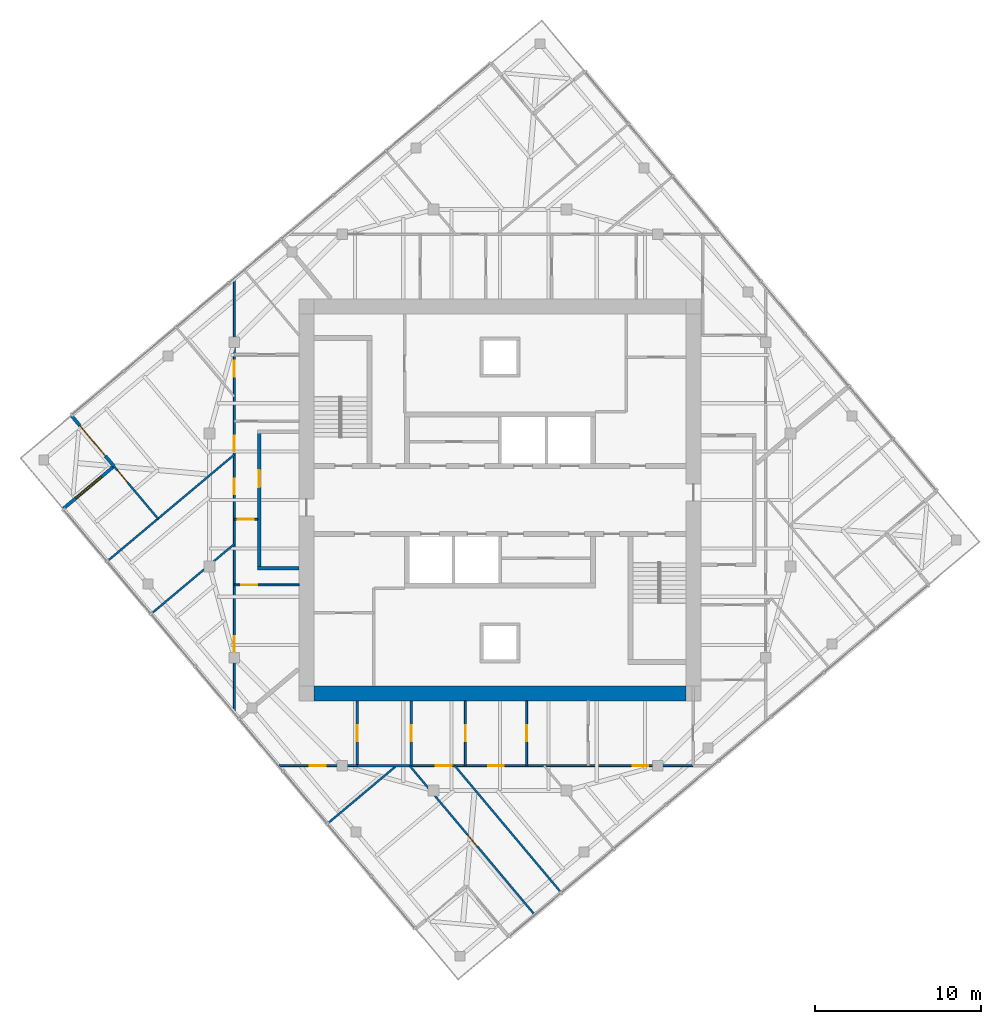
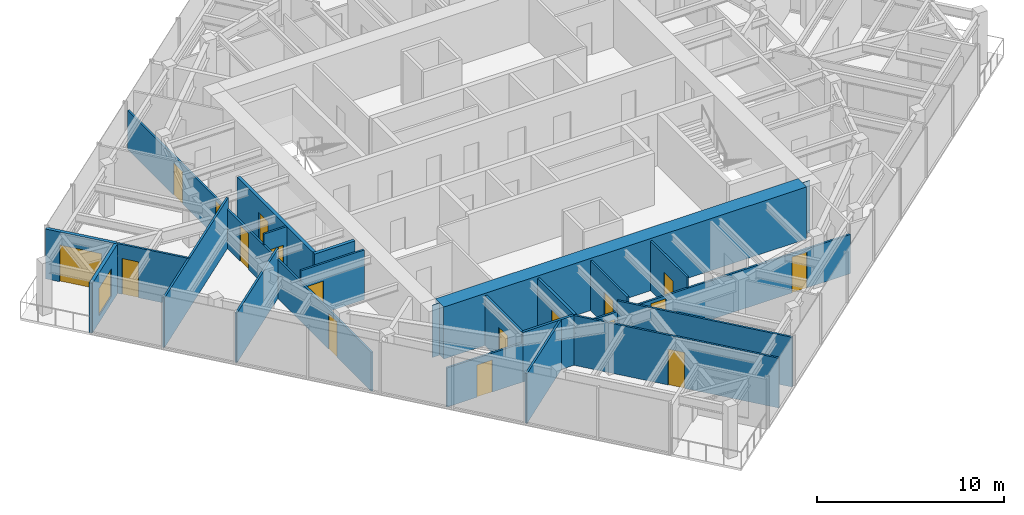
# One storey, part 7 of 12: 21 walls, 18 doors, 1 window, 19 openings.
"""IFC4 building model written with IfcOpenShell, lengths in metres."""

from ifc_helpers import new_model, si_unit, direction, frame, frame_2d, origin, place, context, subcontext, project, spatial, polyline, rectangle, outline, extrude, material, layer, layer_set, type_object, element, fill, save


model = new_model("IFC4")

# Units and contexts
model_context = context("Model", 3, precision=1e-05, world=origin(), true_north=direction((0.0, 1.0)))
body_context = subcontext(model_context, "Body", "Model", "MODEL_VIEW")
ifc_project = project(units=[si_unit("LENGTHUNIT", "METRE"), si_unit("AREAUNIT", "SQUARE_METRE"), si_unit("VOLUMEUNIT", "CUBIC_METRE"), si_unit("PLANEANGLEUNIT", "RADIAN"), si_unit("MASSUNIT", "GRAM", prefix="KILO")], contexts=[model_context])

# Site, building, storey
site_placement = place(None, origin())
site = spatial("IfcSite", under=ifc_project, at=site_placement, CompositionType="ELEMENT")
building_placement = place(site_placement, origin())
building = spatial("IfcBuilding", under=site, at=building_placement, Name="Torsade Residences", CompositionType="ELEMENT")
storey_placement = place(building_placement, frame((0.0, 0.0, 289.60009765625)))
storey = spatial("IfcBuildingStorey", under=building, at=storey_placement, Name="L80", CompositionType="ELEMENT", Elevation=289.60009765625)

# Wall
ifc_material_1 = material(Name="Concrete 80 MPa", Category="concrete")
ifc_layer_1 = layer(ifc_material_1, 0.89990234375)
ifc_layer_set_1 = layer_set([ifc_layer_1], Name="Concrete 80 MPa")
wall_type_1 = type_object("IfcWallType", Name="CORE WALL 900", PredefinedType="SHEAR", material=ifc_layer_set_1)
wall_1_placement = place(storey_placement, frame((51.199951171875, 18.35009765625, 0.0), z_axis=(0.0, 0.0, 1.0), x_axis=(-1.0, 0.0, 0.0)))
element("IfcWall", 1, at=wall_1_placement, inside=storey, type_object=wall_type_1, Name="Core wall S L80", PredefinedType="SHEAR", context=body_context, shape_type="SweptSolid", body=[
    extrude(outline(polyline([(0.0, -0.449951171875), (22.39990234375, -0.449951171875), (22.39990234375, -0.02490234375), (22.849853515625, -0.02490234375), (22.849853515625, 0.02490234375), (22.39990234375, 0.02490234375), (22.39990234375, 0.449951171875), (0.0, 0.449951171875), (0.0, 0.02490234375), (-0.449951171875, 0.02490234375), (-0.449951171875, -0.02490234375), (0.0, -0.02490234375), (0.0, -0.449951171875)])), origin(), (0.0, 0.0, 1.0), 3.39990234375),
])

# Wall, opening, door
ifc_material_2 = material(Name="Plasterboard on steel stud", Category="steel")
ifc_layer_2 = layer(ifc_material_2, 0.199951171875)
ifc_layer_set_2 = layer_set([ifc_layer_2], Name="Plasterboard on steel stud")
wall_type_2 = type_object("IfcWallType", Name="CORRIDOR WALL 200", PredefinedType="PARTITIONING", material=ifc_layer_set_2)
wall_2_placement = place(storey_placement, frame((25.5, 25.89990234375, 0.0), z_axis=(0.0, 0.0, 1.0), x_axis=(0.0, 1.0, 0.0)))
wall_2 = element("IfcWall", 2, at=wall_2_placement, inside=storey, type_object=wall_type_2, Name="Corridor wall L80", PredefinedType="PARTITIONING", context=body_context, shape_type="SweptSolid", body=[
    extrude(rectangle(XDim=8.2001953125, YDim=0.199951171875, at=frame_2d((4.10009765625, 0.0))), origin(), (0.0, 0.0, 1.0), 3.25),
])
opening_1_placement = place(wall_2_placement, frame((4.88232421875, 0.0, 0.0)))
opening_1 = element("IfcOpeningElement", 3, at=opening_1_placement, cuts=wall_2, Name="Opening D01", PredefinedType="OPENING", context=body_context, shape_type="SweptSolid", body=[
    extrude(rectangle(XDim=1.02001953125, YDim=2.340087890625, at=frame_2d((0.510009765625, 1.169921875))), frame((0.0, 0.10986328125, 0.0), z_axis=(0.0, -1.0, 0.0), x_axis=(1.0, 0.0, 0.0)), (0.0, 0.0, 1.0), 0.219970703125),
])
ifc_material_3 = material(Name="Solid-core timber fire door", Category="wood")
door_type_1 = type_object("IfcDoorType", Name="APARTMENT ENTRY DOOR 1020x2340", OperationType="NOTDEFINED", PredefinedType="DOOR", material=ifc_material_3)
door_1_placement = place(opening_1_placement, origin())
door_1 = element("IfcDoor", 4, at=door_1_placement, inside=storey, type_object=door_type_1, Name="Door Residential corridor to Kitchen and dining", OperationType="SINGLE_SWING_LEFT", OverallHeight=2.340087890625, OverallWidth=1.02001953125, PredefinedType="DOOR", context=body_context, shape_type="SweptSolid", body=[
    extrude(rectangle(XDim=1.02001953125, YDim=2.340087890625, at=frame_2d((0.510009765625, 1.169921875))), frame((0.0, 0.02490234375, 0.0), z_axis=(0.0, -1.0, 0.0), x_axis=(1.0, 0.0, 0.0)), (0.0, 0.0, 1.0), 0.050048828125),
])
fill(opening_1, door_1)

# Wall
wall_3_placement = place(storey_placement, frame((27.89990234375, 25.89990234375, 0.0), z_axis=(0.0, 0.0, 1.0), x_axis=(-1.0, 0.0, 0.0)))
element("IfcWall", 5, at=wall_3_placement, inside=storey, type_object=wall_type_2, Name="Corridor wall L80", PredefinedType="PARTITIONING", context=body_context, shape_type="SweptSolid", body=[
    extrude(rectangle(XDim=2.5, YDim=0.199951171875, at=frame_2d((1.25, 0.0))), origin(), (0.0, 0.0, 1.0), 3.25),
])

# Wall, opening, door
ifc_material_4 = material(Name="Plasterboard on steel stud", Category="steel")
ifc_layer_3 = layer(ifc_material_4, 0.1201171875)
ifc_layer_set_3 = layer_set([ifc_layer_3], Name="Plasterboard on steel stud")
wall_type_3 = type_object("IfcWallType", Name="PARTITION 120", PredefinedType="PARTITIONING", material=ifc_layer_set_3)
wall_4_placement = place(storey_placement, frame((31.410400390625, 14.0, 0.0), z_axis=(0.0, 0.0, 1.0), x_axis=(-1.0, 0.0, 0.0)))
wall_4 = element("IfcWall", 6, at=wall_4_placement, inside=storey, type_object=wall_type_3, Name="Partition L80", PredefinedType="PARTITIONING", context=body_context, shape_type="SweptSolid", body=[
    extrude(rectangle(XDim=4.693359375, YDim=0.1201171875, at=frame_2d((2.3466796875, 0.0))), origin(), (0.0, 0.0, 1.0), 2.5498046875),
])
opening_2_placement = place(wall_4_placement, frame((1.892822265625, 0.0, 0.0)))
opening_2 = element("IfcOpeningElement", 7, at=opening_2_placement, cuts=wall_4, Name="Opening D05", PredefinedType="OPENING", context=body_context, shape_type="SweptSolid", body=[
    extrude(rectangle(XDim=0.9599609375, YDim=2.10009765625, at=frame_2d((0.47998046875, 1.050048828125))), frame((0.0, 0.070068359375, 0.0), z_axis=(0.0, -1.0, 0.0), x_axis=(1.0, 0.0, 0.0)), (0.0, 0.0, 1.0), 0.14013671875),
])
ifc_material_5 = material(Name="Hollow-core timber door in a steel cavity frame", Category="steel")
door_type_2 = type_object("IfcDoorType", Name="BATHROOM CAVITY SLIDING DOOR 960", OperationType="SLIDING_TO_LEFT", PredefinedType="DOOR", material=ifc_material_5)
door_2_placement = place(opening_2_placement, origin())
door_2 = element("IfcDoor", 8, at=door_2_placement, inside=storey, type_object=door_type_2, Name="Door Bathroom to Media room", OperationType="SLIDING_TO_LEFT", OverallHeight=2.10009765625, OverallWidth=0.9599609375, PredefinedType="DOOR", context=body_context, shape_type="SweptSolid", body=[
    extrude(rectangle(XDim=0.9599609375, YDim=2.10009765625, at=frame_2d((0.47998046875, 1.050048828125))), frame((0.0, 0.02490234375, 0.0), z_axis=(0.0, -1.0, 0.0), x_axis=(1.0, 0.0, 0.0)), (0.0, 0.0, 1.0), 0.050048828125),
])
fill(opening_2, door_2)

wall_5_placement = place(storey_placement, frame((37.9189453125, 17.89990234375, 0.0), z_axis=(0.0, 0.0, 1.0), x_axis=(0.0, -1.0, 0.0)))
wall_5 = element("IfcWall", 9, at=wall_5_placement, inside=storey, type_object=wall_type_3, Name="Partition L80", PredefinedType="PARTITIONING", context=body_context, shape_type="SweptSolid", body=[
    extrude(rectangle(XDim=3.89990234375, YDim=0.1201171875, at=frame_2d((1.949951171875, 0.0))), origin(), (0.0, 0.0, 1.0), 3.25),
])
opening_3_placement = place(wall_5_placement, frame((1.469970703125, 0.0, 0.0)))
opening_3 = element("IfcOpeningElement", 10, at=opening_3_placement, cuts=wall_5, Name="Opening D05", PredefinedType="OPENING", context=body_context, shape_type="SweptSolid", body=[
    extrude(rectangle(XDim=0.9599609375, YDim=2.10009765625, at=frame_2d((0.47998046875, 1.050048828125))), frame((0.0, 0.070068359375, 0.0), z_axis=(0.0, -1.0, 0.0), x_axis=(1.0, 0.0, 0.0)), (0.0, 0.0, 1.0), 0.14013671875),
])
door_3_placement = place(opening_3_placement, origin())
door_3 = element("IfcDoor", 11, at=door_3_placement, inside=storey, type_object=door_type_2, Name="Door Dressing room 2 to WC", OperationType="SLIDING_TO_LEFT", OverallHeight=2.10009765625, OverallWidth=0.9599609375, PredefinedType="DOOR", context=body_context, shape_type="SweptSolid", body=[
    extrude(rectangle(XDim=0.9599609375, YDim=2.10009765625, at=frame_2d((0.47998046875, 1.050048828125))), frame((0.0, 0.02490234375, 0.0), z_axis=(0.0, -1.0, 0.0), x_axis=(1.0, 0.0, 0.0)), (0.0, 0.0, 1.0), 0.050048828125),
])
fill(opening_3, door_3)

# Wall, openings, doors
wall_6_placement = place(storey_placement, frame((51.624755859375, 14.0, 0.0), z_axis=(0.0, 0.0, 1.0), x_axis=(-1.0, 0.0, 0.0)))
wall_6 = element("IfcWall", 12, at=wall_6_placement, inside=storey, type_object=wall_type_3, Name="Partition L80", PredefinedType="PARTITIONING", context=body_context, shape_type="SweptSolid", body=[
    extrude(rectangle(XDim=17.06689453125, YDim=0.1201171875, at=frame_2d((8.533447265625, 0.0))), origin(), (0.0, 0.0, 1.0), 2.5498046875),
])
opening_4_placement = place(wall_6_placement, frame((2.701904296875, 0.0, 0.0)))
opening_4 = element("IfcOpeningElement", 13, at=opening_4_placement, cuts=wall_6, Name="Opening D02", PredefinedType="OPENING", context=body_context, shape_type="SweptSolid", body=[
    extrude(rectangle(XDim=0.919921875, YDim=2.340087890625, at=frame_2d((0.4599609375, 1.169921875))), frame((0.0, 0.070068359375, 0.0), z_axis=(0.0, -1.0, 0.0), x_axis=(1.0, 0.0, 0.0)), (0.0, 0.0, 1.0), 0.14013671875),
])
opening_5_placement = place(wall_6_placement, frame((11.400146484375, 0.0, 0.0)))
opening_5 = element("IfcOpeningElement", 14, at=opening_5_placement, cuts=wall_6, Name="Opening D02", PredefinedType="OPENING", context=body_context, shape_type="SweptSolid", body=[
    extrude(rectangle(XDim=0.919921875, YDim=2.340087890625, at=frame_2d((0.4599609375, 1.169921875))), frame((0.0, 0.070068359375, 0.0), z_axis=(0.0, -1.0, 0.0), x_axis=(1.0, 0.0, 0.0)), (0.0, 0.0, 1.0), 0.14013671875),
])
opening_6_placement = place(wall_6_placement, frame((14.544189453125, 0.0, 0.0)))
opening_6 = element("IfcOpeningElement", 15, at=opening_6_placement, cuts=wall_6, Name="Opening D05", PredefinedType="OPENING", context=body_context, shape_type="SweptSolid", body=[
    extrude(rectangle(XDim=0.9599609375, YDim=2.10009765625, at=frame_2d((0.47998046875, 1.050048828125))), frame((0.0, 0.070068359375, 0.0), z_axis=(0.0, -1.0, 0.0), x_axis=(1.0, 0.0, 0.0)), (0.0, 0.0, 1.0), 0.14013671875),
])
door_4_placement = place(opening_6_placement, origin())
door_4 = element("IfcDoor", 16, at=door_4_placement, inside=storey, type_object=door_type_2, Name="Door WC to Walk-in robe 2", OperationType="SLIDING_TO_LEFT", OverallHeight=2.10009765625, OverallWidth=0.9599609375, PredefinedType="DOOR", context=body_context, shape_type="SweptSolid", body=[
    extrude(rectangle(XDim=0.9599609375, YDim=2.10009765625, at=frame_2d((0.47998046875, 1.050048828125))), frame((0.0, 0.02490234375, 0.0), z_axis=(0.0, -1.0, 0.0), x_axis=(1.0, 0.0, 0.0)), (0.0, 0.0, 1.0), 0.050048828125),
])
fill(opening_6, door_4)
ifc_material_6 = material(Name="Hollow-core timber door", Category="wood")
door_type_3 = type_object("IfcDoorType", Name="INTERNAL DOOR 920x2340", OperationType="NOTDEFINED", PredefinedType="DOOR", material=ifc_material_6)
door_5_placement = place(opening_4_placement, origin())
door_5 = element("IfcDoor", 17, at=door_5_placement, inside=storey, type_object=door_type_3, Name="Door Walk-in robe to Bedroom 5", OperationType="SINGLE_SWING_LEFT", OverallHeight=2.340087890625, OverallWidth=0.919921875, PredefinedType="DOOR", context=body_context, shape_type="SweptSolid", body=[
    extrude(rectangle(XDim=0.919921875, YDim=2.340087890625, at=frame_2d((0.4599609375, 1.169921875))), frame((0.0, 0.02490234375, 0.0), z_axis=(0.0, -1.0, 0.0), x_axis=(1.0, 0.0, 0.0)), (0.0, 0.0, 1.0), 0.050048828125),
])
fill(opening_4, door_5)
door_6_placement = place(opening_5_placement, origin())
door_6 = element("IfcDoor", 18, at=door_6_placement, inside=storey, type_object=door_type_3, Name="Door Dressing room 2 to Bedroom 1", OperationType="SINGLE_SWING_RIGHT", OverallHeight=2.340087890625, OverallWidth=0.919921875, PredefinedType="DOOR", context=body_context, shape_type="SweptSolid", body=[
    extrude(rectangle(XDim=0.919921875, YDim=2.340087890625, at=frame_2d((0.4599609375, 1.169921875))), frame((0.0, 0.02490234375, 0.0), z_axis=(0.0, -1.0, 0.0), x_axis=(1.0, 0.0, 0.0)), (0.0, 0.0, 1.0), 0.050048828125),
])
fill(opening_5, door_6)

# Wall, opening, door
wall_7_placement = place(storey_placement, frame((41.610107421875, 14.0, 0.0), z_axis=(0.0, 0.0, 1.0), x_axis=(0.0, 1.0, 0.0)))
wall_7 = element("IfcWall", 19, at=wall_7_placement, inside=storey, type_object=wall_type_3, Name="Partition L80", PredefinedType="PARTITIONING", context=body_context, shape_type="SweptSolid", body=[
    extrude(rectangle(XDim=3.89990234375, YDim=0.1201171875, at=frame_2d((1.949951171875, 0.0))), origin(), (0.0, 0.0, 1.0), 3.25),
])
opening_7_placement = place(wall_7_placement, frame((1.469970703125, 0.0, 0.0)))
opening_7 = element("IfcOpeningElement", 20, at=opening_7_placement, cuts=wall_7, Name="Opening D05", PredefinedType="OPENING", context=body_context, shape_type="SweptSolid", body=[
    extrude(rectangle(XDim=0.9599609375, YDim=2.10009765625, at=frame_2d((0.47998046875, 1.050048828125))), frame((0.0, 0.070068359375, 0.0), z_axis=(0.0, -1.0, 0.0), x_axis=(1.0, 0.0, 0.0)), (0.0, 0.0, 1.0), 0.14013671875),
])
door_7_placement = place(opening_7_placement, origin())
door_7 = element("IfcDoor", 21, at=door_7_placement, inside=storey, type_object=door_type_2, Name="Door Ensuite to Dressing room 2", OperationType="SLIDING_TO_LEFT", OverallHeight=2.10009765625, OverallWidth=0.9599609375, PredefinedType="DOOR", context=body_context, shape_type="SweptSolid", body=[
    extrude(rectangle(XDim=0.9599609375, YDim=2.10009765625, at=frame_2d((0.47998046875, 1.050048828125))), frame((0.0, 0.02490234375, 0.0), z_axis=(0.0, -1.0, 0.0), x_axis=(1.0, 0.0, 0.0)), (0.0, 0.0, 1.0), 0.050048828125),
])
fill(opening_7, door_7)

wall_8_placement = place(storey_placement, frame((34.557861328125, 14.0, 0.0), z_axis=(0.0, 0.0, 1.0), x_axis=(0.642782931909, -0.766048368216, 0.0)))
wall_8 = element("IfcWall", 22, at=wall_8_placement, inside=storey, type_object=wall_type_3, Name="Partition L80", PredefinedType="PARTITIONING", context=body_context, shape_type="SweptSolid", body=[
    extrude(rectangle(XDim=11.701416015625, YDim=0.1201171875, at=frame_2d((5.8505859375, 0.0))), origin(), (0.0, 0.0, 1.0), 3.25),
])
opening_8_placement = place(wall_8_placement, frame((5.41064453125, 0.0, 0.0)))
opening_8 = element("IfcOpeningElement", 23, at=opening_8_placement, cuts=wall_8, Name="Opening D02", PredefinedType="OPENING", context=body_context, shape_type="SweptSolid", body=[
    extrude(rectangle(XDim=0.919921875, YDim=2.340087890625, at=frame_2d((0.4599609375, 1.169921875))), frame((0.0, 0.070068359375, 0.0), z_axis=(0.0, -1.0, 0.0), x_axis=(1.0, 0.0, 0.0)), (0.0, 0.0, 1.0), 0.14013671875),
])
door_8_placement = place(opening_8_placement, origin())
door_8 = element("IfcDoor", 24, at=door_8_placement, inside=storey, type_object=door_type_3, Name="Door Walk-in robe 2 to Living room", OperationType="SINGLE_SWING_LEFT", OverallHeight=2.340087890625, OverallWidth=0.919921875, PredefinedType="DOOR", context=body_context, shape_type="SweptSolid", body=[
    extrude(rectangle(XDim=0.919921875, YDim=2.340087890625, at=frame_2d((0.4599609375, 1.169921875))), frame((0.0, 0.02490234375, 0.0), z_axis=(0.0, -1.0, 0.0), x_axis=(1.0, 0.0, 0.0)), (0.0, 0.0, 1.0), 0.050048828125),
])
fill(opening_8, door_8)

# Walls
wall_9_placement = place(storey_placement, frame((29.629638671875, 10.528564453125, 0.0), z_axis=(0.0, 0.0, 1.0), x_axis=(0.766034275706, 0.642799726543, 0.0)))
element("IfcWall", 25, at=wall_9_placement, inside=storey, type_object=wall_type_3, Name="Partition L80", PredefinedType="PARTITIONING", context=body_context, shape_type="SweptSolid", body=[
    extrude(rectangle(XDim=5.400390625, YDim=0.1201171875, at=frame_2d((2.7001953125, 0.0))), origin(), (0.0, 0.0, 1.0), 3.25),
])
wall_10_placement = place(storey_placement, frame((43.671630859375, 6.372314453125, 0.0), z_axis=(0.0, 0.0, 1.0), x_axis=(-0.64278775678, 0.766044319693, 0.0)))
element("IfcWall", 26, at=wall_10_placement, inside=storey, type_object=wall_type_3, Name="Partition L80", PredefinedType="PARTITIONING", context=body_context, shape_type="SweptSolid", body=[
    extrude(rectangle(XDim=9.957275390625, YDim=0.1201171875, at=frame_2d((4.978515625, 0.0))), origin(), (0.0, 0.0, 1.0), 3.25),
])

# Wall, opening, door
wall_11_placement = place(storey_placement, frame((25.39990234375, 28.83447265625, 0.0), z_axis=(0.0, 0.0, 1.0), x_axis=(-1.0, 0.0, 0.0)))
wall_11 = element("IfcWall", 27, at=wall_11_placement, inside=storey, type_object=wall_type_3, Name="Partition L80", PredefinedType="PARTITIONING", context=body_context, shape_type="SweptSolid", body=[
    extrude(rectangle(XDim=1.39990234375, YDim=0.1201171875, at=frame_2d((0.699951171875, 0.0))), origin(), (0.0, 0.0, 1.0), 3.25),
])
opening_9_placement = place(wall_11_placement, frame((0.219970703125, 0.0, 0.0)))
opening_9 = element("IfcOpeningElement", 28, at=opening_9_placement, cuts=wall_11, Name="Opening D05", PredefinedType="OPENING", context=body_context, shape_type="SweptSolid", body=[
    extrude(rectangle(XDim=0.9599609375, YDim=2.10009765625, at=frame_2d((0.47998046875, 1.050048828125))), frame((0.0, 0.070068359375, 0.0), z_axis=(0.0, -1.0, 0.0), x_axis=(1.0, 0.0, 0.0)), (0.0, 0.0, 1.0), 0.14013671875),
])
door_9_placement = place(opening_9_placement, origin())
door_9 = element("IfcDoor", 29, at=door_9_placement, inside=storey, type_object=door_type_2, Name="Door Kitchen and dining to Bathroom", OperationType="SLIDING_TO_LEFT", OverallHeight=2.10009765625, OverallWidth=0.9599609375, PredefinedType="DOOR", context=body_context, shape_type="SweptSolid", body=[
    extrude(rectangle(XDim=0.9599609375, YDim=2.10009765625, at=frame_2d((0.47998046875, 1.050048828125))), frame((0.0, 0.02490234375, 0.0), z_axis=(0.0, -1.0, 0.0), x_axis=(1.0, 0.0, 0.0)), (0.0, 0.0, 1.0), 0.050048828125),
])
fill(opening_9, door_9)

# Wall, openings, doors
wall_12_placement = place(storey_placement, frame((24.0, 17.238037109375, 0.0), z_axis=(0.0, 0.0, 1.0), x_axis=(0.0, 1.0, 0.0)))
wall_12 = element("IfcWall", 30, at=wall_12_placement, inside=storey, type_object=wall_type_3, Name="Partition L80", PredefinedType="PARTITIONING", context=body_context, shape_type="SweptSolid", body=[
    extrude(rectangle(XDim=26.044921875, YDim=0.1201171875, at=frame_2d((13.0224609375, 0.0))), origin(), (0.0, 0.0, 1.0), 2.5498046875),
])
opening_10_placement = place(wall_12_placement, frame((13.116455078125, 0.0, 0.0)))
opening_10 = element("IfcOpeningElement", 31, at=opening_10_placement, cuts=wall_12, Name="Opening D02", PredefinedType="OPENING", context=body_context, shape_type="SweptSolid", body=[
    extrude(rectangle(XDim=0.919921875, YDim=2.340087890625, at=frame_2d((0.4599609375, 1.169921875))), frame((0.0, 0.070068359375, 0.0), z_axis=(0.0, -1.0, 0.0), x_axis=(1.0, 0.0, 0.0)), (0.0, 0.0, 1.0), 0.14013671875),
])
opening_11_placement = place(wall_12_placement, frame((15.705078125, 0.0, 0.0)))
opening_11 = element("IfcOpeningElement", 32, at=opening_11_placement, cuts=wall_12, Name="Opening D02", PredefinedType="OPENING", context=body_context, shape_type="SweptSolid", body=[
    extrude(rectangle(XDim=0.919921875, YDim=2.340087890625, at=frame_2d((0.4599609375, 1.169921875))), frame((0.0, 0.070068359375, 0.0), z_axis=(0.0, -1.0, 0.0), x_axis=(1.0, 0.0, 0.0)), (0.0, 0.0, 1.0), 0.14013671875),
])
opening_12_placement = place(wall_12_placement, frame((20.19091796875, 0.0, 0.0)))
opening_12 = element("IfcOpeningElement", 33, at=opening_12_placement, cuts=wall_12, Name="Opening D05", PredefinedType="OPENING", context=body_context, shape_type="SweptSolid", body=[
    extrude(rectangle(XDim=0.9599609375, YDim=2.10009765625, at=frame_2d((0.47998046875, 1.050048828125))), frame((0.0, 0.070068359375, 0.0), z_axis=(0.0, -1.0, 0.0), x_axis=(1.0, 0.0, 0.0)), (0.0, 0.0, 1.0), 0.14013671875),
])
opening_13_placement = place(wall_12_placement, frame((3.63134765625, 0.0, 0.0)))
opening_13 = element("IfcOpeningElement", 34, at=opening_13_placement, cuts=wall_12, Name="Opening D02", PredefinedType="OPENING", context=body_context, shape_type="SweptSolid", body=[
    extrude(rectangle(XDim=0.919921875, YDim=2.340087890625, at=frame_2d((0.4599609375, 1.169921875))), frame((0.0, 0.070068359375, 0.0), z_axis=(0.0, -1.0, 0.0), x_axis=(1.0, 0.0, 0.0)), (0.0, 0.0, 1.0), 0.14013671875),
])
door_10_placement = place(opening_12_placement, origin())
door_10 = element("IfcDoor", 35, at=door_10_placement, inside=storey, type_object=door_type_2, Name="Door Laundry to Bedroom 4", OperationType="SLIDING_TO_LEFT", OverallHeight=2.10009765625, OverallWidth=0.9599609375, PredefinedType="DOOR", context=body_context, shape_type="SweptSolid", body=[
    extrude(rectangle(XDim=0.9599609375, YDim=2.10009765625, at=frame_2d((0.47998046875, 1.050048828125))), frame((0.0, 0.02490234375, 0.0), z_axis=(0.0, -1.0, 0.0), x_axis=(1.0, 0.0, 0.0)), (0.0, 0.0, 1.0), 0.050048828125),
])
fill(opening_12, door_10)
door_11_placement = place(opening_10_placement, origin())
door_11 = element("IfcDoor", 36, at=door_11_placement, inside=storey, type_object=door_type_3, Name="Door Kitchen and dining to Bedroom 1", OperationType="SINGLE_SWING_RIGHT", OverallHeight=2.340087890625, OverallWidth=0.919921875, PredefinedType="DOOR", context=body_context, shape_type="SweptSolid", body=[
    extrude(rectangle(XDim=0.919921875, YDim=2.340087890625, at=frame_2d((0.4599609375, 1.169921875))), frame((0.0, 0.02490234375, 0.0), z_axis=(0.0, -1.0, 0.0), x_axis=(1.0, 0.0, 0.0)), (0.0, 0.0, 1.0), 0.050048828125),
])
fill(opening_10, door_11)
door_12_placement = place(opening_11_placement, origin())
door_12 = element("IfcDoor", 37, at=door_12_placement, inside=storey, type_object=door_type_3, Name="Door Kitchen and dining to Living room", OperationType="SINGLE_SWING_LEFT", OverallHeight=2.340087890625, OverallWidth=0.919921875, PredefinedType="DOOR", context=body_context, shape_type="SweptSolid", body=[
    extrude(rectangle(XDim=0.919921875, YDim=2.340087890625, at=frame_2d((0.4599609375, 1.169921875))), frame((0.0, 0.02490234375, 0.0), z_axis=(0.0, -1.0, 0.0), x_axis=(1.0, 0.0, 0.0)), (0.0, 0.0, 1.0), 0.050048828125),
])
fill(opening_11, door_12)
door_13_placement = place(opening_13_placement, origin())
door_13 = element("IfcDoor", 38, at=door_13_placement, inside=storey, type_object=door_type_3, Name="Door Study to Bedroom 2", OperationType="SINGLE_SWING_LEFT", OverallHeight=2.340087890625, OverallWidth=0.919921875, PredefinedType="DOOR", context=body_context, shape_type="SweptSolid", body=[
    extrude(rectangle(XDim=0.919921875, YDim=2.340087890625, at=frame_2d((0.4599609375, 1.169921875))), frame((0.0, 0.02490234375, 0.0), z_axis=(0.0, -1.0, 0.0), x_axis=(1.0, 0.0, 0.0)), (0.0, 0.0, 1.0), 0.050048828125),
])
fill(opening_13, door_13)

# Wall, opening, door
wall_13_placement = place(storey_placement, frame((27.89990234375, 24.8828125, 0.0), z_axis=(0.0, 0.0, 1.0), x_axis=(-1.0, 0.0, 0.0)))
wall_13 = element("IfcWall", 39, at=wall_13_placement, inside=storey, type_object=wall_type_3, Name="Partition L80", PredefinedType="PARTITIONING", context=body_context, shape_type="SweptSolid", body=[
    extrude(rectangle(XDim=3.89990234375, YDim=0.1201171875, at=frame_2d((1.949951171875, 0.0))), origin(), (0.0, 0.0, 1.0), 3.25),
])
opening_14_placement = place(wall_13_placement, frame((2.52001953125, 0.0, 0.0)))
opening_14 = element("IfcOpeningElement", 40, at=opening_14_placement, cuts=wall_13, Name="Opening D05", PredefinedType="OPENING", context=body_context, shape_type="SweptSolid", body=[
    extrude(rectangle(XDim=0.9599609375, YDim=2.10009765625, at=frame_2d((0.47998046875, 1.050048828125))), frame((0.0, 0.070068359375, 0.0), z_axis=(0.0, -1.0, 0.0), x_axis=(1.0, 0.0, 0.0)), (0.0, 0.0, 1.0), 0.14013671875),
])
door_14_placement = place(opening_14_placement, origin())
door_14 = element("IfcDoor", 41, at=door_14_placement, inside=storey, type_object=door_type_2, Name="Door Bathroom to Study", OperationType="SLIDING_TO_LEFT", OverallHeight=2.10009765625, OverallWidth=0.9599609375, PredefinedType="DOOR", context=body_context, shape_type="SweptSolid", body=[
    extrude(rectangle(XDim=0.9599609375, YDim=2.10009765625, at=frame_2d((0.47998046875, 1.050048828125))), frame((0.0, 0.02490234375, 0.0), z_axis=(0.0, -1.0, 0.0), x_axis=(1.0, 0.0, 0.0)), (0.0, 0.0, 1.0), 0.050048828125),
])
fill(opening_14, door_14)

# Wall
wall_14_placement = place(storey_placement, frame((24.0, 32.728759765625, 0.0), z_axis=(0.0, 0.0, 1.0), x_axis=(-0.766044319693, -0.64278775678, 0.0)))
element("IfcWall", 42, at=wall_14_placement, inside=storey, type_object=wall_type_3, Name="Partition L80", PredefinedType="PARTITIONING", context=body_context, shape_type="SweptSolid", body=[
    extrude(rectangle(XDim=9.957275390625, YDim=0.1201171875, at=frame_2d((4.978515625, 0.0))), origin(), (0.0, 0.0, 1.0), 3.25),
])

# Wall, opening, door
wall_15_placement = place(storey_placement, frame((19.40576171875, 28.873779296875, 0.0), z_axis=(0.0, 0.0, 1.0), x_axis=(-0.642767300664, 0.766061483953, 0.0)))
wall_15 = element("IfcWall", 43, at=wall_15_placement, inside=storey, type_object=wall_type_3, Name="Partition L80", PredefinedType="PARTITIONING", context=body_context, shape_type="SweptSolid", body=[
    extrude(rectangle(XDim=4.0849609375, YDim=0.1201171875, at=frame_2d((2.04248046875, 0.0))), origin(), (0.0, 0.0, 1.0), 3.25),
])
opening_15_placement = place(wall_15_placement, frame((2.8525390625, 0.0, 0.0)))
opening_15 = element("IfcOpeningElement", 44, at=opening_15_placement, cuts=wall_15, Name="Opening D02", PredefinedType="OPENING", context=body_context, shape_type="SweptSolid", body=[
    extrude(rectangle(XDim=0.919921875, YDim=2.340087890625, at=frame_2d((0.4599609375, 1.169921875))), frame((0.0, 0.070068359375, 0.0), z_axis=(0.0, -1.0, 0.0), x_axis=(1.0, 0.0, 0.0)), (0.0, 0.0, 1.0), 0.14013671875),
])
door_15_placement = place(opening_15_placement, origin())
door_15 = element("IfcDoor", 45, at=door_15_placement, inside=storey, type_object=door_type_3, Name="Door Living room to Bedroom 3", OperationType="SINGLE_SWING_LEFT", OverallHeight=2.340087890625, OverallWidth=0.919921875, PredefinedType="DOOR", context=body_context, shape_type="SweptSolid", body=[
    extrude(rectangle(XDim=0.919921875, YDim=2.340087890625, at=frame_2d((0.4599609375, 1.169921875))), frame((0.0, 0.02490234375, 0.0), z_axis=(0.0, -1.0, 0.0), x_axis=(1.0, 0.0, 0.0)), (0.0, 0.0, 1.0), 0.050048828125),
])
fill(opening_15, door_15)

# Wall
wall_16_placement = place(storey_placement, frame((24.0, 27.343994140625, 0.0), z_axis=(0.0, 0.0, 1.0), x_axis=(-0.766051249233, -0.642779498388, 0.0)))
element("IfcWall", 46, at=wall_16_placement, inside=storey, type_object=wall_type_3, Name="Partition L80", PredefinedType="PARTITIONING", context=body_context, shape_type="SweptSolid", body=[
    extrude(rectangle(XDim=6.49609375, YDim=0.1201171875, at=frame_2d((3.248046875, 0.0))), origin(), (0.0, 0.0, 1.0), 3.25),
])

# Wall, opening, door
ifc_material_7 = material(Name="Reinforced blockwork", Category="masonry")
ifc_layer_4 = layer(ifc_material_7, 0.14990234375)
ifc_layer_set_4 = layer_set([ifc_layer_4], Name="Reinforced blockwork")
wall_type_4 = type_object("IfcWallType", Name="SERVICE ROOM WALL 150", PredefinedType="SOLIDWALL", material=ifc_layer_set_4)
wall_17_placement = place(storey_placement, frame((31.410400390625, 17.89990234375, 0.0), z_axis=(0.0, 0.0, 1.0), x_axis=(0.0, -1.0, 0.0)))
wall_17 = element("IfcWall", 47, at=wall_17_placement, inside=storey, type_object=wall_type_4, Name="Service room wall L80", PredefinedType="SOLIDWALL", context=body_context, shape_type="SweptSolid", body=[
    extrude(rectangle(XDim=3.89990234375, YDim=0.14990234375, at=frame_2d((1.949951171875, 0.0))), origin(), (0.0, 0.0, 1.0), 3.25),
])
opening_16_placement = place(wall_17_placement, frame((1.469970703125, 0.0, 0.0)))
opening_16 = element("IfcOpeningElement", 48, at=opening_16_placement, cuts=wall_17, Name="Opening D05", PredefinedType="OPENING", context=body_context, shape_type="SweptSolid", body=[
    extrude(rectangle(XDim=0.9599609375, YDim=2.10009765625, at=frame_2d((0.47998046875, 1.050048828125))), frame((0.0, 0.0849609375, 0.0), z_axis=(0.0, -1.0, 0.0), x_axis=(1.0, 0.0, 0.0)), (0.0, 0.0, 1.0), 0.169921875),
])
door_16_placement = place(opening_16_placement, origin())
door_16 = element("IfcDoor", 49, at=door_16_placement, inside=storey, type_object=door_type_2, Name="Door Linen store to Bathroom", OperationType="SLIDING_TO_LEFT", OverallHeight=2.10009765625, OverallWidth=0.9599609375, PredefinedType="DOOR", context=body_context, shape_type="SweptSolid", body=[
    extrude(rectangle(XDim=0.9599609375, YDim=2.10009765625, at=frame_2d((0.47998046875, 1.050048828125))), frame((0.0, 0.02490234375, 0.0), z_axis=(0.0, -1.0, 0.0), x_axis=(1.0, 0.0, 0.0)), (0.0, 0.0, 1.0), 0.050048828125),
])
fill(opening_16, door_16)

wall_18_placement = place(storey_placement, frame((34.664794921875, 14.0, 0.0), z_axis=(0.0, 0.0, 1.0), x_axis=(0.0, 1.0, 0.0)))
wall_18 = element("IfcWall", 50, at=wall_18_placement, inside=storey, type_object=wall_type_4, Name="Service room wall L80", PredefinedType="SOLIDWALL", context=body_context, shape_type="SweptSolid", body=[
    extrude(rectangle(XDim=3.89990234375, YDim=0.14990234375, at=frame_2d((1.949951171875, 0.0))), origin(), (0.0, 0.0, 1.0), 3.25),
])
opening_17_placement = place(wall_18_placement, frame((1.469970703125, 0.0, 0.0)))
opening_17 = element("IfcOpeningElement", 51, at=opening_17_placement, cuts=wall_18, Name="Opening D05", PredefinedType="OPENING", context=body_context, shape_type="SweptSolid", body=[
    extrude(rectangle(XDim=0.9599609375, YDim=2.10009765625, at=frame_2d((0.47998046875, 1.050048828125))), frame((0.0, 0.0849609375, 0.0), z_axis=(0.0, -1.0, 0.0), x_axis=(1.0, 0.0, 0.0)), (0.0, 0.0, 1.0), 0.169921875),
])
door_17_placement = place(opening_17_placement, origin())
door_17 = element("IfcDoor", 52, at=door_17_placement, inside=storey, type_object=door_type_2, Name="Door WC to Linen store", OperationType="SLIDING_TO_LEFT", OverallHeight=2.10009765625, OverallWidth=0.9599609375, PredefinedType="DOOR", context=body_context, shape_type="SweptSolid", body=[
    extrude(rectangle(XDim=0.9599609375, YDim=2.10009765625, at=frame_2d((0.47998046875, 1.050048828125))), frame((0.0, 0.02490234375, 0.0), z_axis=(0.0, -1.0, 0.0), x_axis=(1.0, 0.0, 0.0)), (0.0, 0.0, 1.0), 0.050048828125),
])
fill(opening_17, door_17)

# Wall
wall_19_placement = place(storey_placement, frame((34.557861328125, 14.0, 0.0), z_axis=(0.0, 0.0, 1.0), x_axis=(-1.0, 0.0, 0.0)))
element("IfcWall", 53, at=wall_19_placement, inside=storey, type_object=wall_type_4, Name="Service room wall L80", PredefinedType="SOLIDWALL", context=body_context, shape_type="SweptSolid", body=[
    extrude(rectangle(XDim=3.1474609375, YDim=0.14990234375, at=frame_2d((1.57373046875, 0.0))), origin(), (0.0, 0.0, 1.0), 3.25),
])

# Wall, opening, door
ifc_material_8 = material(Name="Stone-faced precast concrete 40 MPa panel", Category="masonry")
ifc_layer_5 = layer(ifc_material_8, 0.199951171875)
ifc_layer_set_5 = layer_set([ifc_layer_5], Name="Stone-faced precast concrete 40 MPa panel")
wall_type_5 = type_object("IfcWallType", Name="TERRACE WALL 200", PredefinedType="SOLIDWALL", material=ifc_layer_set_5)
wall_20_placement = place(storey_placement, frame((14.18310546875, 35.097900390625, 0.0), z_axis=(0.0, 0.0, 1.0), x_axis=(0.642768287094, -0.766060656284, 0.0)))
wall_20 = element("IfcWall", 54, at=wall_20_placement, inside=storey, type_object=wall_type_5, Name="Terrace wall L80 8", PredefinedType="SOLIDWALL", context=body_context, shape_type="SweptSolid", body=[
    extrude(rectangle(XDim=4.0, YDim=0.199951171875, at=frame_2d((2.0, 0.0))), origin(), (0.0, 0.0, 1.0), 3.25),
])
opening_18_placement = place(wall_20_placement, frame((0.800048828125, 0.0, 0.0)))
opening_18 = element("IfcOpeningElement", 55, at=opening_18_placement, cuts=wall_20, Name="Opening D10", PredefinedType="OPENING", context=body_context, shape_type="SweptSolid", body=[
    extrude(rectangle(XDim=2.39990234375, YDim=2.39990234375, at=frame_2d((1.199951171875, 1.199951171875))), frame((0.0, 0.10986328125, 0.0), z_axis=(0.0, -1.0, 0.0), x_axis=(1.0, 0.0, 0.0)), (0.0, 0.0, 1.0), 0.219970703125),
])
ifc_material_9 = material(Name="Aluminium-framed glass door", Category="aluminium")
door_type_4 = type_object("IfcDoorType", Name="TERRACE SLIDING DOOR 2400", OperationType="SLIDING_TO_LEFT", PredefinedType="DOOR", material=ifc_material_9)
door_18_placement = place(opening_18_placement, origin())
door_18 = element("IfcDoor", 56, at=door_18_placement, inside=storey, type_object=door_type_4, Name="Terrace door L80 8", OperationType="SLIDING_TO_LEFT", OverallHeight=2.39990234375, OverallWidth=2.39990234375, PredefinedType="DOOR", context=body_context, shape_type="SweptSolid", body=[
    extrude(rectangle(XDim=2.39990234375, YDim=2.39990234375, at=frame_2d((1.199951171875, 1.199951171875))), frame((0.0, 0.02490234375, 0.0), z_axis=(0.0, -1.0, 0.0), x_axis=(1.0, 0.0, 0.0)), (0.0, 0.0, 1.0), 0.050048828125),
])
fill(opening_18, door_18)

# Wall, opening, window
wall_21_placement = place(storey_placement, frame((16.754150390625, 32.03369140625, 0.0), z_axis=(0.0, 0.0, 1.0), x_axis=(-0.766035437498, -0.642798342015, 0.0)))
wall_21 = element("IfcWall", 57, at=wall_21_placement, inside=storey, type_object=wall_type_5, Name="Terrace wall L80 9", PredefinedType="SOLIDWALL", context=body_context, shape_type="SweptSolid", body=[
    extrude(rectangle(XDim=3.999755859375, YDim=0.199951171875, at=frame_2d((2.0, 0.0))), origin(), (0.0, 0.0, 1.0), 3.25),
])
opening_19_placement = place(wall_21_placement, frame((1.0, 0.0, 0.449951171875)))
opening_19 = element("IfcOpeningElement", 58, at=opening_19_placement, cuts=wall_21, Name="Opening W1B", PredefinedType="OPENING", context=body_context, shape_type="SweptSolid", body=[
    extrude(rectangle(XDim=2.0, YDim=1.800048828125, at=frame_2d((1.0, 0.89990234375))), frame((0.0, 0.10986328125, 0.0), z_axis=(0.0, -1.0, 0.0), x_axis=(1.0, 0.0, 0.0)), (0.0, 0.0, 1.0), 0.219970703125),
])
ifc_material_10 = material(Name="Aluminium-framed glass window", Category="aluminium")
window_type = type_object("IfcWindowType", Name="TERRACE WINDOW 2000x1800", PartitioningType="SINGLE_PANEL", PredefinedType="WINDOW", material=ifc_material_10)
window_placement = place(opening_19_placement, origin())
window = element("IfcWindow", 59, at=window_placement, inside=storey, type_object=window_type, Name="Terrace window L80 9", OverallHeight=1.800048828125, OverallWidth=2.0, PartitioningType="SINGLE_PANEL", PredefinedType="WINDOW", context=body_context, shape_type="SweptSolid", body=[
    extrude(rectangle(XDim=2.0, YDim=1.800048828125, at=frame_2d((1.0, 0.89990234375))), frame((0.0, 0.030029296875, 0.0), z_axis=(0.0, -1.0, 0.0), x_axis=(1.0, 0.0, 0.0)), (0.0, 0.0, 1.0), 0.06005859375),
])
fill(opening_19, window)

save(model, "model.ifc")
